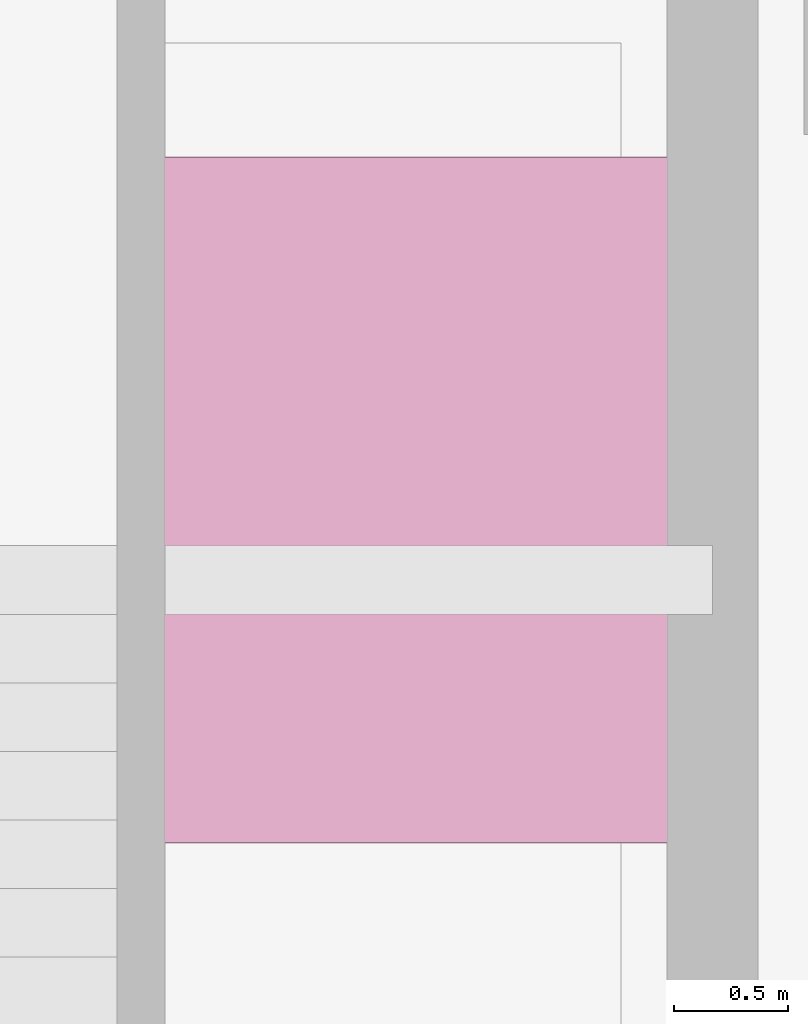
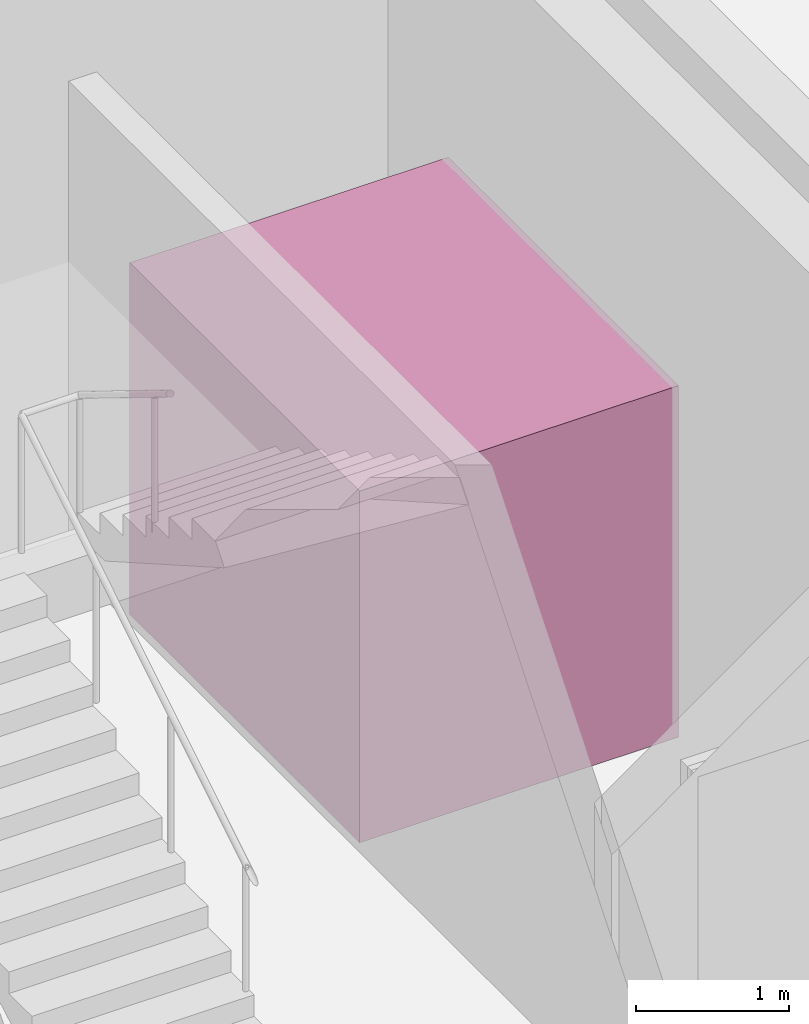
# One storey, part 11 of 11: 1 transport element.
"""IFC4 building model written with IfcOpenShell, lengths in metres."""

from ifc_helpers import new_model, si_unit, direction, frame, origin, origin_2d, place, context, subcontext, project, spatial, rectangle, extrude, material, type_object, element, save


model = new_model("IFC4")

# Units and contexts
model_context = context("Model", 3, precision=1e-05, world=origin(), true_north=direction((0.0, 1.0)))
body_context = subcontext(model_context, "Body", "Model", "MODEL_VIEW")
ifc_project = project(units=[si_unit("LENGTHUNIT", "METRE"), si_unit("AREAUNIT", "SQUARE_METRE"), si_unit("VOLUMEUNIT", "CUBIC_METRE"), si_unit("PLANEANGLEUNIT", "RADIAN"), si_unit("MASSUNIT", "GRAM", prefix="KILO")], contexts=[model_context])

# Site, building, storey
site_placement = place(None, origin())
site = spatial("IfcSite", under=ifc_project, at=site_placement, CompositionType="ELEMENT")
building_placement = place(site_placement, origin())
building = spatial("IfcBuilding", under=site, at=building_placement, Name="Pelvatis Terrace Science Centre", CompositionType="ELEMENT")
storey_placement = place(building_placement, frame((0.0, 0.0, -4.800048828125)))
storey = spatial("IfcBuildingStorey", under=building, at=storey_placement, Name="B01", CompositionType="ELEMENT", Elevation=-4.800048828125)

# Transport element
ifc_material = material(Name="Brushed bronze and stainless steel lift car", Category="steel")
transport_element_type = type_object("IfcTransportElementType", Name="LFT-GDS-2400x3000", PredefinedType="ELEVATOR", material=ifc_material)
transport_element_placement = place(storey_placement, frame((146.050048828125, 83.800048828125, 0.0), z_axis=(0.0, 0.0, 1.0), x_axis=(1.0, 0.0, 0.0)))
element("IfcTransportElement", 1, at=transport_element_placement, inside=storey, type_object=transport_element_type, Name="Elevator LF-08", PredefinedType="ELEVATOR", context=body_context, shape_type="SweptSolid", body=[
    extrude(rectangle(XDim=2.39990234375, YDim=3.0, at=origin_2d()), origin(), (0.0, 0.0, 1.0), 2.800048828125),
])

save(model, "model.ifc")
